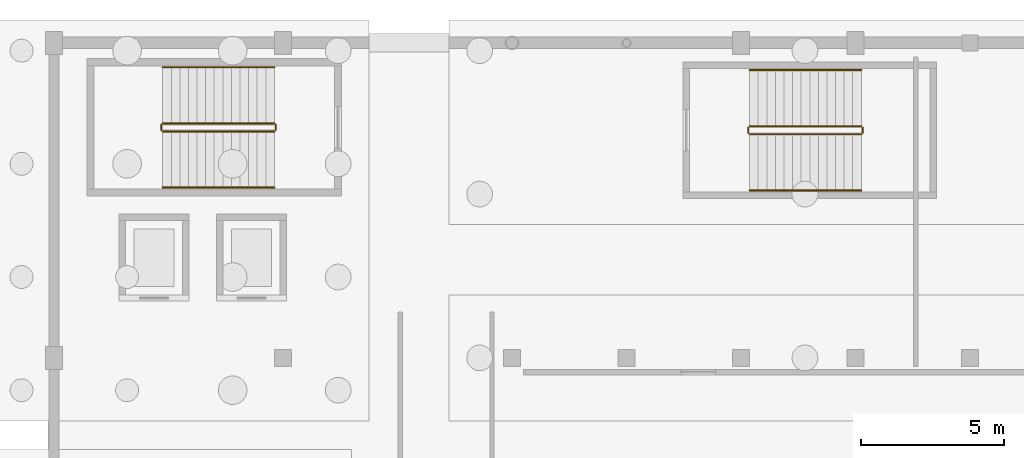
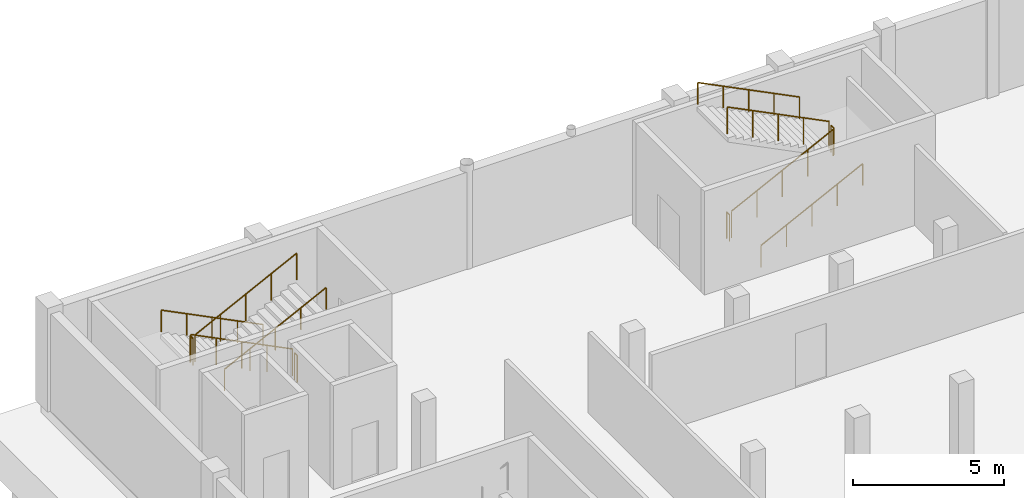
# One storey, part 12 of 15: 12 railings.
"""IFC4 building model written with IfcOpenShell, lengths in metres."""

from ifc_helpers import new_model, si_unit, derived_unit, direction, frame, origin, origin_2d, place, context, subcontext, project, spatial, circle, extrude, material, type_object, element, save


model = new_model("IFC4")

# Units and contexts
model_context = context("Model", 3, precision=1e-05, world=origin(), true_north=direction((0.0, 1.0)))
body_context = subcontext(model_context, "Body", "Model", "MODEL_VIEW")
ifc_project = project(units=[si_unit("LENGTHUNIT", "METRE"), si_unit("AREAUNIT", "SQUARE_METRE"), si_unit("VOLUMEUNIT", "CUBIC_METRE"), si_unit("PLANEANGLEUNIT", "RADIAN"), si_unit("MASSUNIT", "GRAM", prefix="KILO"), derived_unit("THERMALTRANSMITTANCEUNIT", [(si_unit("POWERUNIT", "WATT"), 1), (si_unit("LENGTHUNIT", "METRE"), -2), (si_unit("THERMODYNAMICTEMPERATUREUNIT", "KELVIN"), -1)])], contexts=[model_context])

# Site, building, storey
site_placement = place(None, origin())
site = spatial("IfcSite", under=ifc_project, at=site_placement, CompositionType="ELEMENT")
building_placement = place(site_placement, origin())
building = spatial("IfcBuilding", under=site, at=building_placement, Name="Keldorne Ridge Multi-Sports Centre", CompositionType="ELEMENT")
storey_placement = place(building_placement, frame((0.0, 0.0, -4.199951171875)))
storey = spatial("IfcBuildingStorey", under=building, at=storey_placement, Name="B01", CompositionType="ELEMENT", Elevation=-4.199951171875)

# Railings
ifc_material_1 = material(Name="Laminated glass and stainless steel", Category="steel")
railing_type_1 = type_object("IfcRailingType", Name="RLG-BL-01", PredefinedType="BALUSTRADE", material=ifc_material_1)
railing_1_placement = place(storey_placement, frame((111.699951171875, 114.18994140625, 0.14990234375)))
element("IfcRailing", 1, at=railing_1_placement, inside=storey, type_object=railing_type_1, Name="B01 ST-01 stair guard 1", PredefinedType="BALUSTRADE", context=body_context, shape_type="SweptSolid", body=[
    extrude(circle(Radius=0.02392578125, at=origin_2d()), frame((0.0, 0.0, 1.076171875), z_axis=(-0.894427191, 0.0, 0.4472135955), x_axis=(0.0, -1.0, 0.0)), (0.0, 0.0, 1.0), 4.360107421875),
    extrude(circle(Radius=0.02099609375, at=origin_2d()), origin(), (0.0, 0.0, 1.0), 1.052001953125),
    extrude(circle(Radius=0.02099609375, at=origin_2d()), frame((-0.97509765625, 0.0, 0.487548828125)), (0.0, 0.0, 1.0), 1.052001953125),
    extrude(circle(Radius=0.02099609375, at=origin_2d()), frame((-1.949951171875, 0.0, 0.97509765625)), (0.0, 0.0, 1.0), 1.052001953125),
    extrude(circle(Radius=0.02099609375, at=origin_2d()), frame((-2.9248046875, 0.0, 1.46240234375)), (0.0, 0.0, 1.0), 1.052001953125),
    extrude(circle(Radius=0.02099609375, at=origin_2d()), frame((-3.89990234375, 0.0, 1.949951171875)), (0.0, 0.0, 1.0), 1.052001953125),
])
railing_2_placement = place(storey_placement, frame((107.75, 114.139892578125, 2.099853515625)))
element("IfcRailing", 2, at=railing_2_placement, inside=storey, type_object=railing_type_1, Name="B01 ST-01 stair guard 2", PredefinedType="BALUSTRADE", context=body_context, shape_type="SweptSolid", body=[
    extrude(circle(Radius=0.02392578125, at=origin_2d()), frame((0.0, 0.0, 1.076171875), z_axis=(0.0, -1.0, 0.0), x_axis=(1.0, 0.0, 0.0)), (0.0, 0.0, 1.0), 0.179931640625),
    extrude(circle(Radius=0.02099609375, at=origin_2d()), origin(), (0.0, 0.0, 1.0), 1.052001953125),
    extrude(circle(Radius=0.02099609375, at=origin_2d()), frame((0.0, -0.179931640625, 0.0)), (0.0, 0.0, 1.0), 1.052001953125),
])
railing_3_placement = place(storey_placement, frame((107.800048828125, 113.909912109375, 2.25)))
element("IfcRailing", 3, at=railing_3_placement, inside=storey, type_object=railing_type_1, Name="B01 ST-01 stair guard 3", PredefinedType="BALUSTRADE", context=body_context, shape_type="SweptSolid", body=[
    extrude(circle(Radius=0.02392578125, at=origin_2d()), frame((0.0, 0.0, 1.076171875), z_axis=(0.894427191, 0.0, 0.4472135955), x_axis=(0.0, 1.0, 0.0)), (0.0, 0.0, 1.0), 4.360107421875),
    extrude(circle(Radius=0.02099609375, at=origin_2d()), origin(), (0.0, 0.0, 1.0), 1.052001953125),
    extrude(circle(Radius=0.02099609375, at=origin_2d()), frame((0.97509765625, 0.0, 0.487548828125)), (0.0, 0.0, 1.0), 1.052001953125),
    extrude(circle(Radius=0.02099609375, at=origin_2d()), frame((1.949951171875, 0.0, 0.97509765625)), (0.0, 0.0, 1.0), 1.052001953125),
    extrude(circle(Radius=0.02099609375, at=origin_2d()), frame((2.9248046875, 0.0, 1.46240234375)), (0.0, 0.0, 1.0), 1.052001953125),
    extrude(circle(Radius=0.02099609375, at=origin_2d()), frame((3.89990234375, 0.0, 1.949951171875)), (0.0, 0.0, 1.0), 1.052001953125),
])
railing_4_placement = place(storey_placement, frame((111.75, 114.139892578125, 0.0)))
element("IfcRailing", 4, at=railing_4_placement, inside=storey, type_object=railing_type_1, Name="B01 ST-01 stair guard 4", PredefinedType="BALUSTRADE", context=body_context, shape_type="SweptSolid", body=[
    extrude(circle(Radius=0.02392578125, at=origin_2d()), frame((0.0, 0.0, 1.076171875), z_axis=(0.0, -1.0, 0.0), x_axis=(1.0, 0.0, 0.0)), (0.0, 0.0, 1.0), 0.179931640625),
    extrude(circle(Radius=0.02099609375, at=origin_2d()), origin(), (0.0, 0.0, 1.0), 1.052001953125),
    extrude(circle(Radius=0.02099609375, at=origin_2d()), frame((0.0, -0.179931640625, 0.0)), (0.0, 0.0, 1.0), 1.052001953125),
])
railing_5_placement = place(storey_placement, frame((128.300048828125, 113.81005859375, 0.14990234375)))
element("IfcRailing", 5, at=railing_5_placement, inside=storey, type_object=railing_type_1, Name="B01 ST-10 stair guard 1", PredefinedType="BALUSTRADE", context=body_context, shape_type="SweptSolid", body=[
    extrude(circle(Radius=0.02392578125, at=origin_2d()), frame((0.0, 0.0, 1.076171875), z_axis=(0.894427191, 0.0, 0.4472135955), x_axis=(0.0, 1.0, 0.0)), (0.0, 0.0, 1.0), 4.360107421875),
    extrude(circle(Radius=0.02099609375, at=origin_2d()), origin(), (0.0, 0.0, 1.0), 1.052001953125),
    extrude(circle(Radius=0.02099609375, at=origin_2d()), frame((0.97509765625, 0.0, 0.487548828125)), (0.0, 0.0, 1.0), 1.052001953125),
    extrude(circle(Radius=0.02099609375, at=origin_2d()), frame((1.949951171875, 0.0, 0.97509765625)), (0.0, 0.0, 1.0), 1.052001953125),
    extrude(circle(Radius=0.02099609375, at=origin_2d()), frame((2.9248046875, 0.0, 1.46240234375)), (0.0, 0.0, 1.0), 1.052001953125),
    extrude(circle(Radius=0.02099609375, at=origin_2d()), frame((3.89990234375, 0.0, 1.949951171875)), (0.0, 0.0, 1.0), 1.052001953125),
])
railing_6_placement = place(storey_placement, frame((132.25, 113.860107421875, 2.099853515625)))
element("IfcRailing", 6, at=railing_6_placement, inside=storey, type_object=railing_type_1, Name="B01 ST-10 stair guard 2", PredefinedType="BALUSTRADE", context=body_context, shape_type="SweptSolid", body=[
    extrude(circle(Radius=0.02392578125, at=origin_2d()), frame((0.0, 0.0, 1.076171875), z_axis=(0.0, 1.0, 0.0), x_axis=(-1.0, 0.0, 0.0)), (0.0, 0.0, 1.0), 0.179931640625),
    extrude(circle(Radius=0.02099609375, at=origin_2d()), origin(), (0.0, 0.0, 1.0), 1.052001953125),
    extrude(circle(Radius=0.02099609375, at=origin_2d()), frame((0.0, 0.179931640625, 0.0)), (0.0, 0.0, 1.0), 1.052001953125),
])
railing_7_placement = place(storey_placement, frame((132.199951171875, 114.090087890625, 2.25)))
element("IfcRailing", 7, at=railing_7_placement, inside=storey, type_object=railing_type_1, Name="B01 ST-10 stair guard 3", PredefinedType="BALUSTRADE", context=body_context, shape_type="SweptSolid", body=[
    extrude(circle(Radius=0.02392578125, at=origin_2d()), frame((0.0, 0.0, 1.076171875), z_axis=(-0.894427191, 0.0, 0.4472135955), x_axis=(0.0, -1.0, 0.0)), (0.0, 0.0, 1.0), 4.360107421875),
    extrude(circle(Radius=0.02099609375, at=origin_2d()), origin(), (0.0, 0.0, 1.0), 1.052001953125),
    extrude(circle(Radius=0.02099609375, at=origin_2d()), frame((-0.97509765625, 0.0, 0.487548828125)), (0.0, 0.0, 1.0), 1.052001953125),
    extrude(circle(Radius=0.02099609375, at=origin_2d()), frame((-1.949951171875, 0.0, 0.97509765625)), (0.0, 0.0, 1.0), 1.052001953125),
    extrude(circle(Radius=0.02099609375, at=origin_2d()), frame((-2.9248046875, 0.0, 1.46240234375)), (0.0, 0.0, 1.0), 1.052001953125),
    extrude(circle(Radius=0.02099609375, at=origin_2d()), frame((-3.89990234375, 0.0, 1.949951171875)), (0.0, 0.0, 1.0), 1.052001953125),
])
railing_8_placement = place(storey_placement, frame((128.25, 113.860107421875, 0.0)))
element("IfcRailing", 8, at=railing_8_placement, inside=storey, type_object=railing_type_1, Name="B01 ST-10 stair guard 4", PredefinedType="BALUSTRADE", context=body_context, shape_type="SweptSolid", body=[
    extrude(circle(Radius=0.02392578125, at=origin_2d()), frame((0.0, 0.0, 1.076171875), z_axis=(0.0, 1.0, 0.0), x_axis=(-1.0, 0.0, 0.0)), (0.0, 0.0, 1.0), 0.179931640625),
    extrude(circle(Radius=0.02099609375, at=origin_2d()), origin(), (0.0, 0.0, 1.0), 1.052001953125),
    extrude(circle(Radius=0.02099609375, at=origin_2d()), frame((0.0, 0.179931640625, 0.0)), (0.0, 0.0, 1.0), 1.052001953125),
])
ifc_material_2 = material(Name="Stainless steel", Category="steel")
railing_type_2 = type_object("IfcRailingType", Name="RLG-HR-01", PredefinedType="HANDRAIL", material=ifc_material_2)
railing_9_placement = place(storey_placement, frame((111.699951171875, 116.14990234375, 0.14990234375)))
element("IfcRailing", 9, at=railing_9_placement, inside=storey, type_object=railing_type_2, Name="B01 ST-01 stair handrail 1", PredefinedType="HANDRAIL", context=body_context, shape_type="SweptSolid", body=[
    extrude(circle(Radius=0.02392578125, at=origin_2d()), frame((0.0, 0.0, 0.8759765625), z_axis=(-0.894427191, 0.0, 0.4472135955), x_axis=(0.0, -1.0, 0.0)), (0.0, 0.0, 1.0), 4.360107421875),
    extrude(circle(Radius=0.02099609375, at=origin_2d()), origin(), (0.0, 0.0, 1.0), 0.851806640625),
    extrude(circle(Radius=0.02099609375, at=origin_2d()), frame((-0.97509765625, 0.0, 0.487548828125)), (0.0, 0.0, 1.0), 0.851806640625),
    extrude(circle(Radius=0.02099609375, at=origin_2d()), frame((-1.949951171875, 0.0, 0.97509765625)), (0.0, 0.0, 1.0), 0.851806640625),
    extrude(circle(Radius=0.02099609375, at=origin_2d()), frame((-2.9248046875, 0.0, 1.46240234375)), (0.0, 0.0, 1.0), 0.851806640625),
    extrude(circle(Radius=0.02099609375, at=origin_2d()), frame((-3.89990234375, 0.0, 1.949951171875)), (0.0, 0.0, 1.0), 0.851806640625),
])
for number, where, name in (
    (10, (107.800048828125, 111.949951171875, 2.25), "B01 ST-01 stair handrail 2"),
    (11, (128.300048828125, 111.85009765625, 0.14990234375), "B01 ST-10 stair handrail 1"),
):
    element("IfcRailing", number, at=place(storey_placement, frame(where)), inside=storey, type_object=railing_type_2, Name=name, PredefinedType="HANDRAIL", context=body_context, shape_type="SweptSolid", body=[
        extrude(circle(Radius=0.02392578125, at=origin_2d()), frame((0.0, 0.0, 0.8759765625), z_axis=(0.894427191, 0.0, 0.4472135955), x_axis=(0.0, 1.0, 0.0)), (0.0, 0.0, 1.0), 4.360107421875),
        extrude(circle(Radius=0.02099609375, at=origin_2d()), origin(), (0.0, 0.0, 1.0), 0.851806640625),
        extrude(circle(Radius=0.02099609375, at=origin_2d()), frame((0.97509765625, 0.0, 0.487548828125)), (0.0, 0.0, 1.0), 0.851806640625),
        extrude(circle(Radius=0.02099609375, at=origin_2d()), frame((1.949951171875, 0.0, 0.97509765625)), (0.0, 0.0, 1.0), 0.851806640625),
        extrude(circle(Radius=0.02099609375, at=origin_2d()), frame((2.9248046875, 0.0, 1.46240234375)), (0.0, 0.0, 1.0), 0.851806640625),
        extrude(circle(Radius=0.02099609375, at=origin_2d()), frame((3.89990234375, 0.0, 1.949951171875)), (0.0, 0.0, 1.0), 0.851806640625),
    ])
railing_10_placement = place(storey_placement, frame((132.199951171875, 116.050048828125, 2.25)))
element("IfcRailing", 12, at=railing_10_placement, inside=storey, type_object=railing_type_2, Name="B01 ST-10 stair handrail 2", PredefinedType="HANDRAIL", context=body_context, shape_type="SweptSolid", body=[
    extrude(circle(Radius=0.02392578125, at=origin_2d()), frame((0.0, 0.0, 0.8759765625), z_axis=(-0.894427191, 0.0, 0.4472135955), x_axis=(0.0, -1.0, 0.0)), (0.0, 0.0, 1.0), 4.360107421875),
    extrude(circle(Radius=0.02099609375, at=origin_2d()), origin(), (0.0, 0.0, 1.0), 0.851806640625),
    extrude(circle(Radius=0.02099609375, at=origin_2d()), frame((-0.97509765625, 0.0, 0.487548828125)), (0.0, 0.0, 1.0), 0.851806640625),
    extrude(circle(Radius=0.02099609375, at=origin_2d()), frame((-1.949951171875, 0.0, 0.97509765625)), (0.0, 0.0, 1.0), 0.851806640625),
    extrude(circle(Radius=0.02099609375, at=origin_2d()), frame((-2.9248046875, 0.0, 1.46240234375)), (0.0, 0.0, 1.0), 0.851806640625),
    extrude(circle(Radius=0.02099609375, at=origin_2d()), frame((-3.89990234375, 0.0, 1.949951171875)), (0.0, 0.0, 1.0), 0.851806640625),
])

save(model, "model.ifc")
